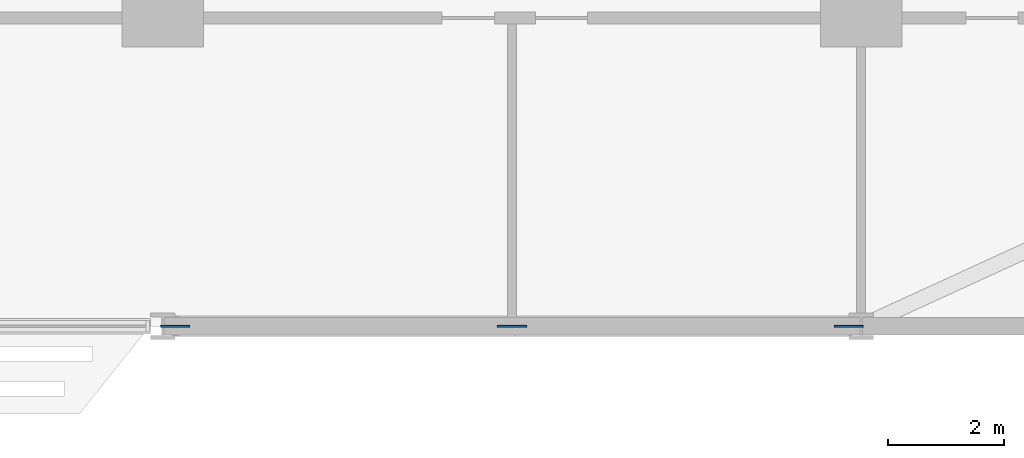
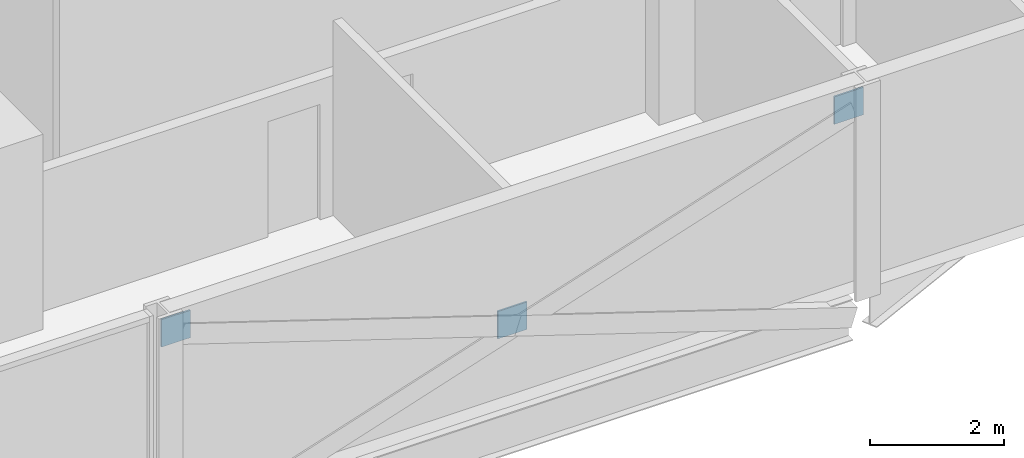
# One storey, part 21 of 29: 3 discrete accessories.
"""IFC4 building model written with IfcOpenShell, lengths in metres."""

from ifc_helpers import new_model, si_unit, direction, frame, origin, origin_2d, place, context, subcontext, project, spatial, rectangle, extrude, material, layer, layer_set, type_object, element, save


model = new_model("IFC4")

# Units and contexts
model_context = context("Model", 3, precision=1e-05, world=origin(), true_north=direction((0.0, 1.0)))
body_context = subcontext(model_context, "Body", "Model", "MODEL_VIEW")
ifc_project = project(units=[si_unit("LENGTHUNIT", "METRE"), si_unit("AREAUNIT", "SQUARE_METRE"), si_unit("VOLUMEUNIT", "CUBIC_METRE"), si_unit("PLANEANGLEUNIT", "RADIAN"), si_unit("MASSUNIT", "GRAM", prefix="KILO")], contexts=[model_context])

# Site, building, storey
site_placement = place(None, origin())
site = spatial("IfcSite", under=ifc_project, at=site_placement, CompositionType="ELEMENT")
building_placement = place(site_placement, origin())
building = spatial("IfcBuilding", under=site, at=building_placement, Name="Mahtab Terrace Research Tower", CompositionType="ELEMENT")
storey_placement = place(building_placement, frame((0.0, 0.0, 113.5)))
storey = spatial("IfcBuildingStorey", under=building, at=storey_placement, Name="L26", CompositionType="ELEMENT", Elevation=113.5)

# Discrete accessories
ifc_material = material(Name="Steel ASTM A992 Gr 50", Category="steel")
ifc_layer = layer(ifc_material, 0.030029296875)
ifc_layer_set = layer_set([ifc_layer], Name="Gusset plate 500x500x30")
discrete_accessory_type = type_object("IfcDiscreteAccessoryType", Name="Gusset plate 500x500x30", PredefinedType="USERDEFINED", material=ifc_layer_set)
for number, where, z_axis, x_axis, name in (
    (1, (30.209716796875, -17.0, 2.853515625), (0.0, 0.0, 1.0), (1.0, 0.0, 0.0), "Gusset plate"),
    (2, (36.0, -17.0, 0.9765625), (0.0, 0.0, 1.0), (1.0, 0.0, 0.0), "Gusset plate"),
    (3, (41.790283203125, -17.0, 2.853515625), (0.0, 0.0, 1.0), (1.0, 0.0, 0.0), "Gusset plate"),
):
    element("IfcDiscreteAccessory", number, at=place(storey_placement, frame(where, z_axis=z_axis, x_axis=x_axis)), inside=storey, type_object=discrete_accessory_type, Name=name, ObjectType="GUSSET PLATE", PredefinedType="USERDEFINED", context=body_context, shape_type="SweptSolid", body=[
        extrude(rectangle(XDim=0.5, YDim=0.030029296875, at=origin_2d()), origin(), (0.0, 0.0, 1.0), 0.5),
    ])

save(model, "model.ifc")
